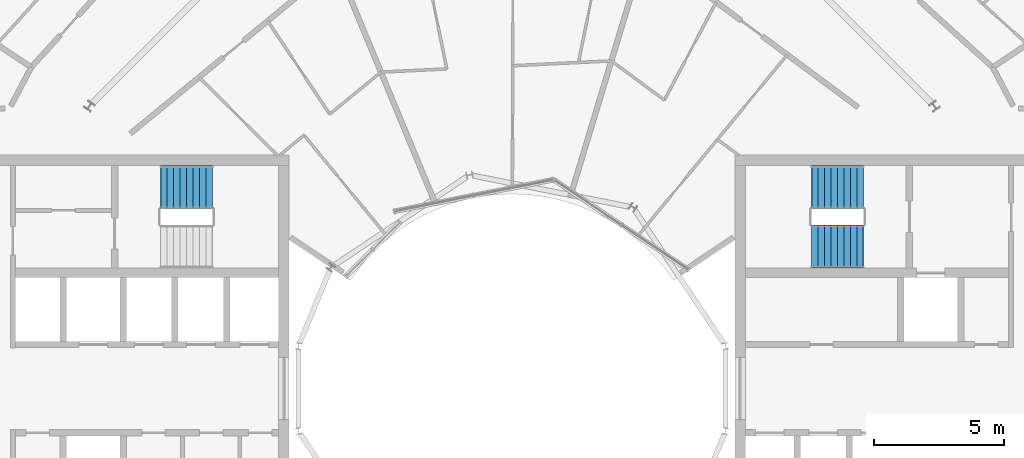
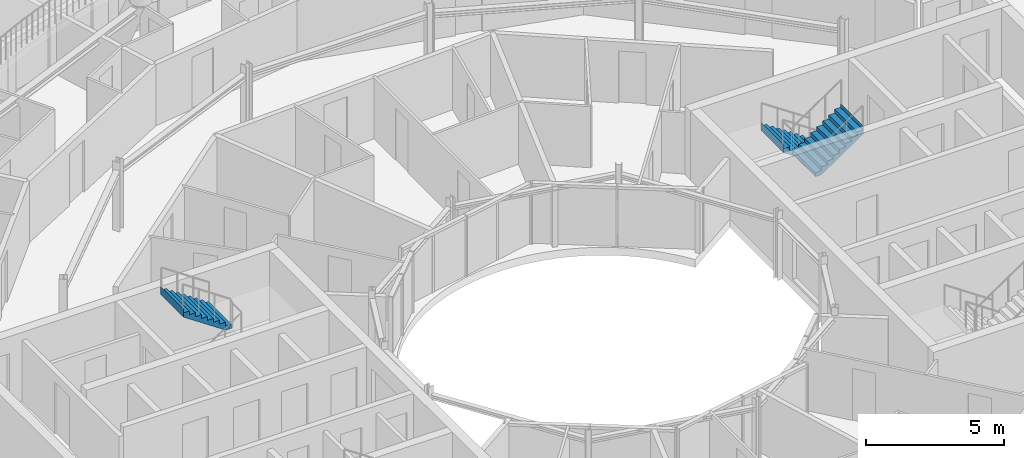
# One storey, part 26 of 29: 3 stair flights, 2 elements without a shape of their own.
"""IFC4 building model written with IfcOpenShell, lengths in metres."""

from ifc_helpers import new_model, si_unit, direction, frame, origin, place, context, subcontext, project, spatial, triangles, material, type_object, element, aggregate, save


model = new_model("IFC4")

# Units and contexts
model_context = context("Model", 3, precision=1e-05, world=origin(), true_north=direction((0.0, 1.0)))
body_context = subcontext(model_context, "Body", "Model", "MODEL_VIEW")
ifc_project = project(units=[si_unit("LENGTHUNIT", "METRE"), si_unit("AREAUNIT", "SQUARE_METRE"), si_unit("VOLUMEUNIT", "CUBIC_METRE"), si_unit("PLANEANGLEUNIT", "RADIAN"), si_unit("MASSUNIT", "GRAM", prefix="KILO")], contexts=[model_context])

# Site, building, storey
site_placement = place(None, origin())
site = spatial("IfcSite", under=ifc_project, at=site_placement, CompositionType="ELEMENT")
building_placement = place(site_placement, origin())
building = spatial("IfcBuilding", under=site, at=building_placement, Name="Maasbend Ring Residences", CompositionType="ELEMENT")
storey_placement = place(building_placement, frame((0.0, 0.0, 234.050048828125)))
storey = spatial("IfcBuildingStorey", under=building, at=storey_placement, Name="L67", CompositionType="ELEMENT", Elevation=234.050048828125)

# Stair, stair flights
ifc_material_1 = material(Name="Concrete C40/50", Category="concrete")
stair_type = type_object("IfcStairType", Name="CORE STAIR 18 RISERS", PredefinedType="HALF_TURN_STAIR", material=ifc_material_1)
stair_1_placement = place(storey_placement, origin())
stair_1 = element("IfcStair", 1, at=stair_1_placement, inside=storey, type_object=stair_type, Name="L67 Exit stair ST-E1", PredefinedType="HALF_TURN_STAIR")
ifc_material_2 = material(Name="Concrete C40/50", Category="concrete")
stair_flight_type = type_object("IfcStairFlightType", Name="CORE STAIR FLIGHT 1650", PredefinedType="STRAIGHT", material=ifc_material_2)
stair_flight_1_placement = place(storey_placement, frame((13.550048828125, 7.77490234375, 0.0), z_axis=(0.0, 0.0, 1.0), x_axis=(-1.0, 0.0, 0.0)))
stair_flight_1 = element("IfcStairFlight", 2, at=stair_flight_1_placement, type_object=stair_flight_type, Name="ST-E1 flight 1", NumberOfRisers=9, NumberOfTreads=8, PredefinedType="STRAIGHT", RiserHeight=0.169444444, TreadLength=0.25, context=body_context, shape_type="Tessellation", body=[
    triangles([(0.24072265625, 0.824951171875, -0.02001953125), (2.0029296875, 0.824951171875, 1.174560546875), (2.0029296875, 0.824951171875, 1.52490234375), (1.989990234375, 0.824951171875, 1.35546875), (1.75, 0.824951171875, 1.35546875), (1.75, 0.824951171875, 1.18603515625), (1.5, 0.824951171875, 1.18603515625), (1.5, 0.824951171875, 1.0166015625), (1.25, 0.824951171875, 1.0166015625), (1.25, 0.824951171875, 0.84716796875), (1.0, 0.824951171875, 0.84716796875), (1.0, 0.824951171875, 0.677734375), (0.75, 0.824951171875, 0.677734375), (0.75, 0.824951171875, 0.50830078125), (0.5, 0.824951171875, 0.50830078125), (0.5, 0.824951171875, 0.3388671875), (0.25, 0.824951171875, 0.3388671875), (0.25, 0.824951171875, 0.16943359375), (0.0, 0.824951171875, 0.16943359375), (0.0, 0.824951171875, 0.0), (-0.0029296875, 0.824951171875, 0.0), (-0.0029296875, 0.824951171875, -0.02001953125), (0.24072265625, 0.27490234375, -0.02001953125), (2.0029296875, 0.27490234375, 1.174560546875), (2.0029296875, 0.27490234375, 1.52490234375), (1.989990234375, 0.27490234375, 1.35546875), (1.75, 0.27490234375, 1.35546875), (1.75, 0.27490234375, 1.18603515625), (1.5, 0.27490234375, 1.18603515625), (1.5, 0.27490234375, 1.0166015625), (1.25, 0.27490234375, 1.0166015625), (1.25, 0.27490234375, 0.84716796875), (1.0, 0.27490234375, 0.84716796875), (1.0, 0.27490234375, 0.677734375), (0.75, 0.27490234375, 0.677734375), (0.75, 0.27490234375, 0.50830078125), (0.5, 0.27490234375, 0.50830078125), (0.5, 0.27490234375, 0.3388671875), (0.25, 0.27490234375, 0.3388671875), (0.25, 0.27490234375, 0.16943359375), (0.0, 0.27490234375, 0.16943359375), (0.0, 0.27490234375, 0.0), (-0.0029296875, 0.27490234375, 0.0), (-0.0029296875, 0.27490234375, -0.02001953125), (0.24072265625, -0.27490234375, -0.02001953125), (2.0029296875, -0.27490234375, 1.174560546875), (2.0029296875, -0.27490234375, 1.52490234375), (1.989990234375, -0.27490234375, 1.35546875), (1.75, -0.27490234375, 1.35546875), (1.75, -0.27490234375, 1.18603515625), (1.5, -0.27490234375, 1.18603515625), (1.5, -0.27490234375, 1.0166015625), (1.25, -0.27490234375, 1.0166015625), (1.25, -0.27490234375, 0.84716796875), (1.0, -0.27490234375, 0.84716796875), (1.0, -0.27490234375, 0.677734375), (0.75, -0.27490234375, 0.677734375), (0.75, -0.27490234375, 0.50830078125), (0.5, -0.27490234375, 0.50830078125), (0.5, -0.27490234375, 0.3388671875), (0.25, -0.27490234375, 0.3388671875), (0.25, -0.27490234375, 0.16943359375), (0.0, -0.27490234375, 0.16943359375), (0.0, -0.27490234375, 0.0), (-0.0029296875, -0.27490234375, 0.0), (-0.0029296875, -0.27490234375, -0.02001953125), (0.24072265625, -0.824951171875, -0.02001953125), (2.0029296875, -0.824951171875, 1.174560546875), (2.0029296875, -0.824951171875, 1.52490234375), (1.989990234375, -0.824951171875, 1.35546875), (1.75, -0.824951171875, 1.35546875), (1.75, -0.824951171875, 1.18603515625), (1.5, -0.824951171875, 1.18603515625), (1.5, -0.824951171875, 1.0166015625), (1.25, -0.824951171875, 1.0166015625), (1.25, -0.824951171875, 0.84716796875), (1.0, -0.824951171875, 0.84716796875), (1.0, -0.824951171875, 0.677734375), (0.75, -0.824951171875, 0.677734375), (0.75, -0.824951171875, 0.50830078125), (0.5, -0.824951171875, 0.50830078125), (0.5, -0.824951171875, 0.3388671875), (0.25, -0.824951171875, 0.3388671875), (0.25, -0.824951171875, 0.16943359375), (0.0, -0.824951171875, 0.16943359375), (0.0, -0.824951171875, 0.0), (-0.0029296875, -0.824951171875, 0.0), (-0.0029296875, -0.824951171875, -0.02001953125)], [[1, 2, 24], [1, 24, 23], [23, 24, 46], [23, 46, 45], [45, 46, 68], [45, 68, 67], [2, 3, 25], [2, 25, 24], [24, 25, 47], [24, 47, 46], [46, 47, 69], [46, 69, 68], [3, 4, 26], [3, 26, 25], [25, 26, 48], [25, 48, 47], [47, 48, 70], [47, 70, 69], [4, 5, 27], [4, 27, 26], [26, 27, 49], [26, 49, 48], [48, 49, 71], [48, 71, 70], [5, 6, 28], [5, 28, 27], [27, 28, 50], [27, 50, 49], [49, 50, 72], [49, 72, 71], [6, 7, 29], [6, 29, 28], [28, 29, 51], [28, 51, 50], [50, 51, 73], [50, 73, 72], [7, 8, 30], [7, 30, 29], [29, 30, 52], [29, 52, 51], [51, 52, 74], [51, 74, 73], [8, 9, 31], [8, 31, 30], [30, 31, 53], [30, 53, 52], [52, 53, 75], [52, 75, 74], [9, 10, 32], [9, 32, 31], [31, 32, 54], [31, 54, 53], [53, 54, 76], [53, 76, 75], [10, 11, 33], [10, 33, 32], [32, 33, 55], [32, 55, 54], [54, 55, 77], [54, 77, 76], [11, 12, 34], [11, 34, 33], [33, 34, 56], [33, 56, 55], [55, 56, 78], [55, 78, 77], [12, 13, 35], [12, 35, 34], [34, 35, 57], [34, 57, 56], [56, 57, 79], [56, 79, 78], [13, 14, 36], [13, 36, 35], [35, 36, 58], [35, 58, 57], [57, 58, 80], [57, 80, 79], [14, 15, 37], [14, 37, 36], [36, 37, 59], [36, 59, 58], [58, 59, 81], [58, 81, 80], [15, 16, 38], [15, 38, 37], [37, 38, 60], [37, 60, 59], [59, 60, 82], [59, 82, 81], [16, 17, 39], [16, 39, 38], [38, 39, 61], [38, 61, 60], [60, 61, 83], [60, 83, 82], [17, 18, 40], [17, 40, 39], [39, 40, 62], [39, 62, 61], [61, 62, 84], [61, 84, 83], [18, 19, 41], [18, 41, 40], [40, 41, 63], [40, 63, 62], [62, 63, 85], [62, 85, 84], [19, 20, 42], [19, 42, 41], [41, 42, 64], [41, 64, 63], [63, 64, 86], [63, 86, 85], [20, 21, 43], [20, 43, 42], [42, 43, 65], [42, 65, 64], [64, 65, 87], [64, 87, 86], [21, 22, 44], [21, 44, 43], [43, 44, 66], [43, 66, 65], [65, 66, 88], [65, 88, 87], [22, 1, 23], [22, 23, 44], [44, 23, 45], [44, 45, 66], [66, 45, 67], [66, 67, 88], [22, 2, 1], [2, 4, 3], [2, 5, 4], [2, 6, 5], [22, 6, 2], [6, 8, 7], [22, 8, 6], [8, 10, 9], [22, 10, 8], [10, 12, 11], [22, 12, 10], [12, 14, 13], [22, 14, 12], [14, 16, 15], [22, 16, 14], [16, 18, 17], [22, 18, 16], [18, 20, 19], [22, 20, 18], [20, 22, 21], [88, 67, 68], [68, 69, 70], [68, 70, 71], [68, 71, 72], [88, 68, 72], [72, 73, 74], [88, 72, 74], [74, 75, 76], [88, 74, 76], [76, 77, 78], [88, 76, 78], [78, 79, 80], [88, 78, 80], [80, 81, 82], [88, 80, 82], [82, 83, 84], [88, 82, 84], [84, 85, 86], [88, 84, 86], [86, 87, 88]], closed=True),
])
stair_flight_2_placement = place(storey_placement, frame((11.550048828125, 5.47509765625, 1.52490234375), z_axis=(0.0, 0.0, 1.0), x_axis=(1.0, 0.0, 0.0)))
stair_flight_2 = element("IfcStairFlight", 3, at=stair_flight_2_placement, type_object=stair_flight_type, Name="ST-E1 flight 2", NumberOfRisers=9, NumberOfTreads=8, PredefinedType="STRAIGHT", RiserHeight=0.169444444, TreadLength=0.25, context=body_context, shape_type="Tessellation", body=[
    triangles([(0.24072265625, 0.824951171875, -0.02001953125), (2.0029296875, 0.824951171875, 1.174560546875), (2.0029296875, 0.824951171875, 1.52490234375), (1.989990234375, 0.824951171875, 1.35546875), (1.75, 0.824951171875, 1.35546875), (1.75, 0.824951171875, 1.18603515625), (1.5, 0.824951171875, 1.18603515625), (1.5, 0.824951171875, 1.0166015625), (1.25, 0.824951171875, 1.0166015625), (1.25, 0.824951171875, 0.84716796875), (1.0, 0.824951171875, 0.84716796875), (1.0, 0.824951171875, 0.677734375), (0.75, 0.824951171875, 0.677734375), (0.75, 0.824951171875, 0.50830078125), (0.5, 0.824951171875, 0.50830078125), (0.5, 0.824951171875, 0.3388671875), (0.25, 0.824951171875, 0.3388671875), (0.25, 0.824951171875, 0.16943359375), (0.0, 0.824951171875, 0.16943359375), (0.0, 0.824951171875, 0.0), (-0.0029296875, 0.824951171875, 0.0), (-0.0029296875, 0.824951171875, -0.02001953125), (0.24072265625, 0.27490234375, -0.02001953125), (2.0029296875, 0.27490234375, 1.174560546875), (2.0029296875, 0.27490234375, 1.52490234375), (1.989990234375, 0.27490234375, 1.35546875), (1.75, 0.27490234375, 1.35546875), (1.75, 0.27490234375, 1.18603515625), (1.5, 0.27490234375, 1.18603515625), (1.5, 0.27490234375, 1.0166015625), (1.25, 0.27490234375, 1.0166015625), (1.25, 0.27490234375, 0.84716796875), (1.0, 0.27490234375, 0.84716796875), (1.0, 0.27490234375, 0.677734375), (0.75, 0.27490234375, 0.677734375), (0.75, 0.27490234375, 0.50830078125), (0.5, 0.27490234375, 0.50830078125), (0.5, 0.27490234375, 0.3388671875), (0.25, 0.27490234375, 0.3388671875), (0.25, 0.27490234375, 0.16943359375), (0.0, 0.27490234375, 0.16943359375), (0.0, 0.27490234375, 0.0), (-0.0029296875, 0.27490234375, 0.0), (-0.0029296875, 0.27490234375, -0.02001953125), (0.24072265625, -0.27490234375, -0.02001953125), (2.0029296875, -0.27490234375, 1.174560546875), (2.0029296875, -0.27490234375, 1.52490234375), (1.989990234375, -0.27490234375, 1.35546875), (1.75, -0.27490234375, 1.35546875), (1.75, -0.27490234375, 1.18603515625), (1.5, -0.27490234375, 1.18603515625), (1.5, -0.27490234375, 1.0166015625), (1.25, -0.27490234375, 1.0166015625), (1.25, -0.27490234375, 0.84716796875), (1.0, -0.27490234375, 0.84716796875), (1.0, -0.27490234375, 0.677734375), (0.75, -0.27490234375, 0.677734375), (0.75, -0.27490234375, 0.50830078125), (0.5, -0.27490234375, 0.50830078125), (0.5, -0.27490234375, 0.3388671875), (0.25, -0.27490234375, 0.3388671875), (0.25, -0.27490234375, 0.16943359375), (0.0, -0.27490234375, 0.16943359375), (0.0, -0.27490234375, 0.0), (-0.0029296875, -0.27490234375, 0.0), (-0.0029296875, -0.27490234375, -0.02001953125), (0.24072265625, -0.824951171875, -0.02001953125), (2.0029296875, -0.824951171875, 1.174560546875), (2.0029296875, -0.824951171875, 1.52490234375), (1.989990234375, -0.824951171875, 1.35546875), (1.75, -0.824951171875, 1.35546875), (1.75, -0.824951171875, 1.18603515625), (1.5, -0.824951171875, 1.18603515625), (1.5, -0.824951171875, 1.0166015625), (1.25, -0.824951171875, 1.0166015625), (1.25, -0.824951171875, 0.84716796875), (1.0, -0.824951171875, 0.84716796875), (1.0, -0.824951171875, 0.677734375), (0.75, -0.824951171875, 0.677734375), (0.75, -0.824951171875, 0.50830078125), (0.5, -0.824951171875, 0.50830078125), (0.5, -0.824951171875, 0.3388671875), (0.25, -0.824951171875, 0.3388671875), (0.25, -0.824951171875, 0.16943359375), (0.0, -0.824951171875, 0.16943359375), (0.0, -0.824951171875, 0.0), (-0.0029296875, -0.824951171875, 0.0), (-0.0029296875, -0.824951171875, -0.02001953125)], [[1, 2, 24], [1, 24, 23], [23, 24, 46], [23, 46, 45], [45, 46, 68], [45, 68, 67], [2, 3, 25], [2, 25, 24], [24, 25, 47], [24, 47, 46], [46, 47, 69], [46, 69, 68], [3, 4, 26], [3, 26, 25], [25, 26, 48], [25, 48, 47], [47, 48, 70], [47, 70, 69], [4, 5, 27], [4, 27, 26], [26, 27, 49], [26, 49, 48], [48, 49, 71], [48, 71, 70], [5, 6, 28], [5, 28, 27], [27, 28, 50], [27, 50, 49], [49, 50, 72], [49, 72, 71], [6, 7, 29], [6, 29, 28], [28, 29, 51], [28, 51, 50], [50, 51, 73], [50, 73, 72], [7, 8, 30], [7, 30, 29], [29, 30, 52], [29, 52, 51], [51, 52, 74], [51, 74, 73], [8, 9, 31], [8, 31, 30], [30, 31, 53], [30, 53, 52], [52, 53, 75], [52, 75, 74], [9, 10, 32], [9, 32, 31], [31, 32, 54], [31, 54, 53], [53, 54, 76], [53, 76, 75], [10, 11, 33], [10, 33, 32], [32, 33, 55], [32, 55, 54], [54, 55, 77], [54, 77, 76], [11, 12, 34], [11, 34, 33], [33, 34, 56], [33, 56, 55], [55, 56, 78], [55, 78, 77], [12, 13, 35], [12, 35, 34], [34, 35, 57], [34, 57, 56], [56, 57, 79], [56, 79, 78], [13, 14, 36], [13, 36, 35], [35, 36, 58], [35, 58, 57], [57, 58, 80], [57, 80, 79], [14, 15, 37], [14, 37, 36], [36, 37, 59], [36, 59, 58], [58, 59, 81], [58, 81, 80], [15, 16, 38], [15, 38, 37], [37, 38, 60], [37, 60, 59], [59, 60, 82], [59, 82, 81], [16, 17, 39], [16, 39, 38], [38, 39, 61], [38, 61, 60], [60, 61, 83], [60, 83, 82], [17, 18, 40], [17, 40, 39], [39, 40, 62], [39, 62, 61], [61, 62, 84], [61, 84, 83], [18, 19, 41], [18, 41, 40], [40, 41, 63], [40, 63, 62], [62, 63, 85], [62, 85, 84], [19, 20, 42], [19, 42, 41], [41, 42, 64], [41, 64, 63], [63, 64, 86], [63, 86, 85], [20, 21, 43], [20, 43, 42], [42, 43, 65], [42, 65, 64], [64, 65, 87], [64, 87, 86], [21, 22, 44], [21, 44, 43], [43, 44, 66], [43, 66, 65], [65, 66, 88], [65, 88, 87], [22, 1, 23], [22, 23, 44], [44, 23, 45], [44, 45, 66], [66, 45, 67], [66, 67, 88], [22, 2, 1], [2, 4, 3], [2, 5, 4], [2, 6, 5], [22, 6, 2], [6, 8, 7], [22, 8, 6], [8, 10, 9], [22, 10, 8], [10, 12, 11], [22, 12, 10], [12, 14, 13], [22, 14, 12], [14, 16, 15], [22, 16, 14], [16, 18, 17], [22, 18, 16], [18, 20, 19], [22, 20, 18], [20, 22, 21], [88, 67, 68], [68, 69, 70], [68, 70, 71], [68, 71, 72], [88, 68, 72], [72, 73, 74], [88, 72, 74], [74, 75, 76], [88, 74, 76], [76, 77, 78], [88, 76, 78], [78, 79, 80], [88, 78, 80], [80, 81, 82], [88, 80, 82], [82, 83, 84], [88, 82, 84], [84, 85, 86], [88, 84, 86], [86, 87, 88]], closed=True),
])
aggregate(stair_1, [stair_flight_1, stair_flight_2])

# Stair, stair flight
stair_2_placement = place(storey_placement, origin())
stair_2 = element("IfcStair", 4, at=stair_2_placement, inside=storey, type_object=stair_type, Name="L67 Exit stair ST-W2", PredefinedType="HALF_TURN_STAIR")
stair_flight_3_placement = place(storey_placement, frame((-11.550048828125, 7.77490234375, 1.52490234375), z_axis=(0.0, 0.0, 1.0), x_axis=(-1.0, 0.0, 0.0)))
stair_flight_3 = element("IfcStairFlight", 5, at=stair_flight_3_placement, type_object=stair_flight_type, Name="ST-W2 flight 2", NumberOfRisers=9, NumberOfTreads=8, PredefinedType="STRAIGHT", RiserHeight=0.169444444, TreadLength=0.25, context=body_context, shape_type="Tessellation", body=[
    triangles([(0.24072265625, 0.824951171875, -0.02001953125), (2.0029296875, 0.824951171875, 1.174560546875), (2.0029296875, 0.824951171875, 1.52490234375), (1.989990234375, 0.824951171875, 1.35546875), (1.75, 0.824951171875, 1.35546875), (1.75, 0.824951171875, 1.18603515625), (1.5, 0.824951171875, 1.18603515625), (1.5, 0.824951171875, 1.0166015625), (1.25, 0.824951171875, 1.0166015625), (1.25, 0.824951171875, 0.84716796875), (1.0, 0.824951171875, 0.84716796875), (1.0, 0.824951171875, 0.677734375), (0.75, 0.824951171875, 0.677734375), (0.75, 0.824951171875, 0.50830078125), (0.5, 0.824951171875, 0.50830078125), (0.5, 0.824951171875, 0.3388671875), (0.25, 0.824951171875, 0.3388671875), (0.25, 0.824951171875, 0.16943359375), (0.0, 0.824951171875, 0.16943359375), (0.0, 0.824951171875, 0.0), (-0.0029296875, 0.824951171875, 0.0), (-0.0029296875, 0.824951171875, -0.02001953125), (0.24072265625, 0.27490234375, -0.02001953125), (2.0029296875, 0.27490234375, 1.174560546875), (2.0029296875, 0.27490234375, 1.52490234375), (1.989990234375, 0.27490234375, 1.35546875), (1.75, 0.27490234375, 1.35546875), (1.75, 0.27490234375, 1.18603515625), (1.5, 0.27490234375, 1.18603515625), (1.5, 0.27490234375, 1.0166015625), (1.25, 0.27490234375, 1.0166015625), (1.25, 0.27490234375, 0.84716796875), (1.0, 0.27490234375, 0.84716796875), (1.0, 0.27490234375, 0.677734375), (0.75, 0.27490234375, 0.677734375), (0.75, 0.27490234375, 0.50830078125), (0.5, 0.27490234375, 0.50830078125), (0.5, 0.27490234375, 0.3388671875), (0.25, 0.27490234375, 0.3388671875), (0.25, 0.27490234375, 0.16943359375), (0.0, 0.27490234375, 0.16943359375), (0.0, 0.27490234375, 0.0), (-0.0029296875, 0.27490234375, 0.0), (-0.0029296875, 0.27490234375, -0.02001953125), (0.24072265625, -0.27490234375, -0.02001953125), (2.0029296875, -0.27490234375, 1.174560546875), (2.0029296875, -0.27490234375, 1.52490234375), (1.989990234375, -0.27490234375, 1.35546875), (1.75, -0.27490234375, 1.35546875), (1.75, -0.27490234375, 1.18603515625), (1.5, -0.27490234375, 1.18603515625), (1.5, -0.27490234375, 1.0166015625), (1.25, -0.27490234375, 1.0166015625), (1.25, -0.27490234375, 0.84716796875), (1.0, -0.27490234375, 0.84716796875), (1.0, -0.27490234375, 0.677734375), (0.75, -0.27490234375, 0.677734375), (0.75, -0.27490234375, 0.50830078125), (0.5, -0.27490234375, 0.50830078125), (0.5, -0.27490234375, 0.3388671875), (0.25, -0.27490234375, 0.3388671875), (0.25, -0.27490234375, 0.16943359375), (0.0, -0.27490234375, 0.16943359375), (0.0, -0.27490234375, 0.0), (-0.0029296875, -0.27490234375, 0.0), (-0.0029296875, -0.27490234375, -0.02001953125), (0.24072265625, -0.824951171875, -0.02001953125), (2.0029296875, -0.824951171875, 1.174560546875), (2.0029296875, -0.824951171875, 1.52490234375), (1.989990234375, -0.824951171875, 1.35546875), (1.75, -0.824951171875, 1.35546875), (1.75, -0.824951171875, 1.18603515625), (1.5, -0.824951171875, 1.18603515625), (1.5, -0.824951171875, 1.0166015625), (1.25, -0.824951171875, 1.0166015625), (1.25, -0.824951171875, 0.84716796875), (1.0, -0.824951171875, 0.84716796875), (1.0, -0.824951171875, 0.677734375), (0.75, -0.824951171875, 0.677734375), (0.75, -0.824951171875, 0.50830078125), (0.5, -0.824951171875, 0.50830078125), (0.5, -0.824951171875, 0.3388671875), (0.25, -0.824951171875, 0.3388671875), (0.25, -0.824951171875, 0.16943359375), (0.0, -0.824951171875, 0.16943359375), (0.0, -0.824951171875, 0.0), (-0.0029296875, -0.824951171875, 0.0), (-0.0029296875, -0.824951171875, -0.02001953125)], [[1, 2, 24], [1, 24, 23], [23, 24, 46], [23, 46, 45], [45, 46, 68], [45, 68, 67], [2, 3, 25], [2, 25, 24], [24, 25, 47], [24, 47, 46], [46, 47, 69], [46, 69, 68], [3, 4, 26], [3, 26, 25], [25, 26, 48], [25, 48, 47], [47, 48, 70], [47, 70, 69], [4, 5, 27], [4, 27, 26], [26, 27, 49], [26, 49, 48], [48, 49, 71], [48, 71, 70], [5, 6, 28], [5, 28, 27], [27, 28, 50], [27, 50, 49], [49, 50, 72], [49, 72, 71], [6, 7, 29], [6, 29, 28], [28, 29, 51], [28, 51, 50], [50, 51, 73], [50, 73, 72], [7, 8, 30], [7, 30, 29], [29, 30, 52], [29, 52, 51], [51, 52, 74], [51, 74, 73], [8, 9, 31], [8, 31, 30], [30, 31, 53], [30, 53, 52], [52, 53, 75], [52, 75, 74], [9, 10, 32], [9, 32, 31], [31, 32, 54], [31, 54, 53], [53, 54, 76], [53, 76, 75], [10, 11, 33], [10, 33, 32], [32, 33, 55], [32, 55, 54], [54, 55, 77], [54, 77, 76], [11, 12, 34], [11, 34, 33], [33, 34, 56], [33, 56, 55], [55, 56, 78], [55, 78, 77], [12, 13, 35], [12, 35, 34], [34, 35, 57], [34, 57, 56], [56, 57, 79], [56, 79, 78], [13, 14, 36], [13, 36, 35], [35, 36, 58], [35, 58, 57], [57, 58, 80], [57, 80, 79], [14, 15, 37], [14, 37, 36], [36, 37, 59], [36, 59, 58], [58, 59, 81], [58, 81, 80], [15, 16, 38], [15, 38, 37], [37, 38, 60], [37, 60, 59], [59, 60, 82], [59, 82, 81], [16, 17, 39], [16, 39, 38], [38, 39, 61], [38, 61, 60], [60, 61, 83], [60, 83, 82], [17, 18, 40], [17, 40, 39], [39, 40, 62], [39, 62, 61], [61, 62, 84], [61, 84, 83], [18, 19, 41], [18, 41, 40], [40, 41, 63], [40, 63, 62], [62, 63, 85], [62, 85, 84], [19, 20, 42], [19, 42, 41], [41, 42, 64], [41, 64, 63], [63, 64, 86], [63, 86, 85], [20, 21, 43], [20, 43, 42], [42, 43, 65], [42, 65, 64], [64, 65, 87], [64, 87, 86], [21, 22, 44], [21, 44, 43], [43, 44, 66], [43, 66, 65], [65, 66, 88], [65, 88, 87], [22, 1, 23], [22, 23, 44], [44, 23, 45], [44, 45, 66], [66, 45, 67], [66, 67, 88], [22, 2, 1], [2, 4, 3], [2, 5, 4], [2, 6, 5], [22, 6, 2], [6, 8, 7], [22, 8, 6], [8, 10, 9], [22, 10, 8], [10, 12, 11], [22, 12, 10], [12, 14, 13], [22, 14, 12], [14, 16, 15], [22, 16, 14], [16, 18, 17], [22, 18, 16], [18, 20, 19], [22, 20, 18], [20, 22, 21], [88, 67, 68], [68, 69, 70], [68, 70, 71], [68, 71, 72], [88, 68, 72], [72, 73, 74], [88, 72, 74], [74, 75, 76], [88, 74, 76], [76, 77, 78], [88, 76, 78], [78, 79, 80], [88, 78, 80], [80, 81, 82], [88, 80, 82], [82, 83, 84], [88, 82, 84], [84, 85, 86], [88, 84, 86], [86, 87, 88]], closed=True),
])
aggregate(stair_2, [stair_flight_3])

save(model, "model.ifc")
